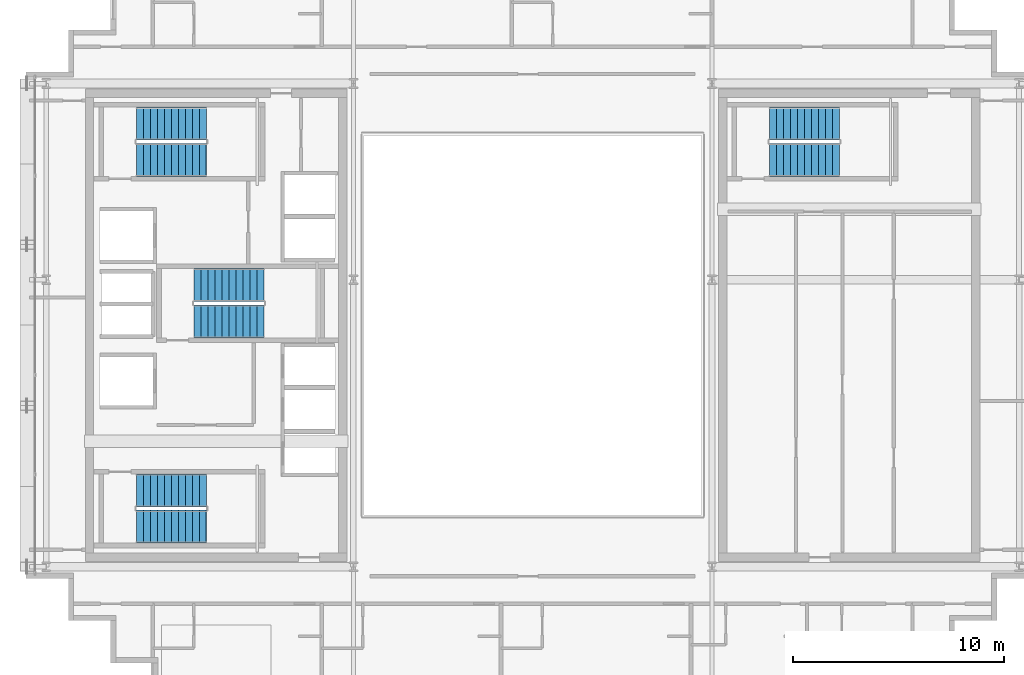
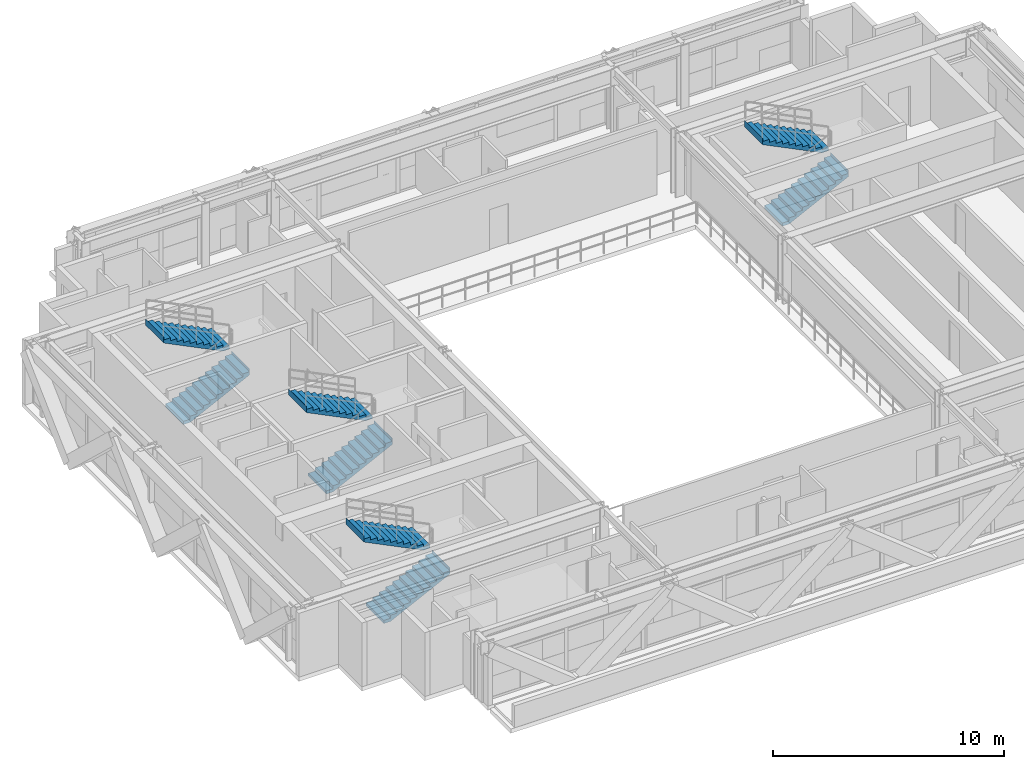
# One storey, part 23 of 27: 8 stair flights, 4 elements without a shape of their own.
"""IFC4 building model written with IfcOpenShell, lengths in metres."""

from ifc_helpers import new_model, si_unit, direction, frame, origin, place, context, subcontext, project, spatial, polyline, outline, extrude, source, transform, mapped, material, type_object, element, aggregate, save


model = new_model("IFC4")

# Units and contexts
model_context = context("Model", 3, precision=1e-05, world=origin(), true_north=direction((0.0, 1.0)))
body_context = subcontext(model_context, "Body", "Model", "MODEL_VIEW")
ifc_project = project(units=[si_unit("LENGTHUNIT", "METRE"), si_unit("AREAUNIT", "SQUARE_METRE"), si_unit("VOLUMEUNIT", "CUBIC_METRE"), si_unit("PLANEANGLEUNIT", "RADIAN"), si_unit("MASSUNIT", "GRAM", prefix="KILO")], contexts=[model_context])

# Site, building, storey
site_placement = place(None, origin())
site = spatial("IfcSite", under=ifc_project, at=site_placement, CompositionType="ELEMENT")
building_placement = place(site_placement, origin())
building = spatial("IfcBuilding", under=site, at=building_placement, Name="Ocotamira Hotel", CompositionType="ELEMENT")
storey_placement = place(building_placement, frame((0.0, 0.0, 232.800048828125)))
storey = spatial("IfcBuildingStorey", under=building, at=storey_placement, Name="L58", CompositionType="ELEMENT", Elevation=232.800048828125)

# Stair, stair flights
ifc_material = material(Name="Concrete C40/50", Category="concrete")
stair_type = type_object("IfcStairType", Name="ST-CORE-1560", PredefinedType="HALF_TURN_STAIR", material=ifc_material)
stair_1_placement = place(storey_placement, origin())
stair_1 = element("IfcStair", 1, at=stair_1_placement, inside=storey, type_object=stair_type, Name="L58 Exit Stair ST-1", PredefinedType="HALF_TURN_STAIR")
stair_flight_type = type_object("IfcStairFlightType", Name="STF-CORE-1560", PredefinedType="STRAIGHT", material=ifc_material)
shared_shape = source(origin(), body_context, "Body", "SweptSolid", [
    extrude(outline(polyline([(-0.00390625, 0.0), (-0.00390625, 0.16357421875), (0.330078125, 0.16357421875), (0.330078125, 0.327392578125), (0.659912109375, 0.327392578125), (0.659912109375, 0.490966796875), (0.989990234375, 0.490966796875), (0.989990234375, 0.654541015625), (1.320068359375, 0.654541015625), (1.320068359375, 0.818115234375), (1.64990234375, 0.818115234375), (1.64990234375, 0.98193359375), (1.97998046875, 0.98193359375), (1.97998046875, 1.1455078125), (2.31005859375, 1.1455078125), (2.31005859375, 1.30908203125), (2.639892578125, 1.30908203125), (2.639892578125, 1.47265625), (2.969970703125, 1.47265625), (2.969970703125, 1.636474609375), (3.300048828125, 1.636474609375), (3.300048828125, 1.800048828125), (3.303955078125, 1.800048828125), (3.303955078125, 1.468994140625), (0.33740234375, 0.0), (-0.00390625, 0.0)])), frame((0.0, 0.780029296875, 0.0), z_axis=(0.0, -1.0, 0.0), x_axis=(1.0, 0.0, 0.0)), (0.0, 0.0, 1.0), 1.56005859375),
])
stair_flight_1_placement = place(storey_placement, frame((13.22998046875, 16.449951171875, 0.0), z_axis=(0.0, 0.0, 1.0), x_axis=(1.0, 0.0, 0.0)))
stair_flight_1 = element("IfcStairFlight", 2, at=stair_flight_1_placement, type_object=stair_flight_type, Name="ST-1 flight 1", NumberOfRisers=11, NumberOfTreads=10, PredefinedType="STRAIGHT", RiserHeight=0.163636364, TreadLength=0.33, context=body_context, shape_type="MappedRepresentation", body=[
    mapped(shared_shape, transform((0.0, 0.0, 0.0), scale=1.0)),
])
stair_flight_2_placement = place(storey_placement, frame((16.530029296875, 18.169921875, 1.800048828125), z_axis=(0.0, 0.0, 1.0), x_axis=(-1.0, 0.0, 0.0)))
stair_flight_2 = element("IfcStairFlight", 3, at=stair_flight_2_placement, type_object=stair_flight_type, Name="ST-1 flight 2", NumberOfRisers=11, NumberOfTreads=10, PredefinedType="STRAIGHT", RiserHeight=0.163636364, TreadLength=0.33, context=body_context, shape_type="MappedRepresentation", body=[
    mapped(shared_shape, transform((0.0, 0.0, 0.0), scale=1.0)),
])
aggregate(stair_1, [stair_flight_1, stair_flight_2])

stair_2_placement = place(storey_placement, origin())
stair_2 = element("IfcStair", 4, at=stair_2_placement, inside=storey, type_object=stair_type, Name="L58 Exit Stair ST-2", PredefinedType="HALF_TURN_STAIR")
stair_flight_3_placement = place(storey_placement, frame((13.22998046875, 33.830078125, 0.0), z_axis=(0.0, 0.0, 1.0), x_axis=(1.0, 0.0, 0.0)))
stair_flight_3 = element("IfcStairFlight", 5, at=stair_flight_3_placement, type_object=stair_flight_type, Name="ST-2 flight 1", NumberOfRisers=11, NumberOfTreads=10, PredefinedType="STRAIGHT", RiserHeight=0.163636364, TreadLength=0.33, context=body_context, shape_type="MappedRepresentation", body=[
    mapped(shared_shape, transform((0.0, 0.0, 0.0), scale=1.0)),
])
stair_flight_4_placement = place(storey_placement, frame((16.530029296875, 35.550048828125, 1.800048828125), z_axis=(0.0, 0.0, 1.0), x_axis=(-1.0, 0.0, 0.0)))
stair_flight_4 = element("IfcStairFlight", 6, at=stair_flight_4_placement, type_object=stair_flight_type, Name="ST-2 flight 2", NumberOfRisers=11, NumberOfTreads=10, PredefinedType="STRAIGHT", RiserHeight=0.163636364, TreadLength=0.33, context=body_context, shape_type="MappedRepresentation", body=[
    mapped(shared_shape, transform((0.0, 0.0, 0.0), scale=1.0)),
])
aggregate(stair_2, [stair_flight_3, stair_flight_4])

stair_3_placement = place(storey_placement, origin())
stair_3 = element("IfcStair", 7, at=stair_3_placement, inside=storey, type_object=stair_type, Name="L58 Exit Stair ST-3", PredefinedType="HALF_TURN_STAIR")
stair_flight_5_placement = place(storey_placement, frame((15.9599609375, 26.179931640625, 0.0), z_axis=(0.0, 0.0, 1.0), x_axis=(1.0, 0.0, 0.0)))
stair_flight_5 = element("IfcStairFlight", 8, at=stair_flight_5_placement, type_object=stair_flight_type, Name="ST-3 flight 1", NumberOfRisers=11, NumberOfTreads=10, PredefinedType="STRAIGHT", RiserHeight=0.163636364, TreadLength=0.33, context=body_context, shape_type="MappedRepresentation", body=[
    mapped(shared_shape, transform((0.0, 0.0, 0.0), scale=1.0)),
])
stair_flight_6_placement = place(storey_placement, frame((19.260009765625, 27.89990234375, 1.800048828125), z_axis=(0.0, 0.0, 1.0), x_axis=(-1.0, 0.0, 0.0)))
stair_flight_6 = element("IfcStairFlight", 9, at=stair_flight_6_placement, type_object=stair_flight_type, Name="ST-3 flight 2", NumberOfRisers=11, NumberOfTreads=10, PredefinedType="STRAIGHT", RiserHeight=0.163636364, TreadLength=0.33, context=body_context, shape_type="MappedRepresentation", body=[
    mapped(shared_shape, transform((0.0, 0.0, 0.0), scale=1.0)),
])
aggregate(stair_3, [stair_flight_5, stair_flight_6])

stair_4_placement = place(storey_placement, origin())
stair_4 = element("IfcStair", 10, at=stair_4_placement, inside=storey, type_object=stair_type, Name="L58 Exit Stair ST-4", PredefinedType="HALF_TURN_STAIR")
stair_flight_7_placement = place(storey_placement, frame((43.22998046875, 33.830078125, 0.0), z_axis=(0.0, 0.0, 1.0), x_axis=(1.0, 0.0, 0.0)))
stair_flight_7 = element("IfcStairFlight", 11, at=stair_flight_7_placement, type_object=stair_flight_type, Name="ST-4 flight 1", NumberOfRisers=11, NumberOfTreads=10, PredefinedType="STRAIGHT", RiserHeight=0.163636364, TreadLength=0.33, context=body_context, shape_type="MappedRepresentation", body=[
    mapped(shared_shape, transform((0.0, 0.0, 0.0), scale=1.0)),
])
stair_flight_8_placement = place(storey_placement, frame((46.530029296875, 35.550048828125, 1.800048828125), z_axis=(0.0, 0.0, 1.0), x_axis=(-1.0, 0.0, 0.0)))
stair_flight_8 = element("IfcStairFlight", 12, at=stair_flight_8_placement, type_object=stair_flight_type, Name="ST-4 flight 2", NumberOfRisers=11, NumberOfTreads=10, PredefinedType="STRAIGHT", RiserHeight=0.163636364, TreadLength=0.33, context=body_context, shape_type="MappedRepresentation", body=[
    mapped(shared_shape, transform((0.0, 0.0, 0.0), scale=1.0)),
])
aggregate(stair_4, [stair_flight_7, stair_flight_8])

save(model, "model.ifc")
